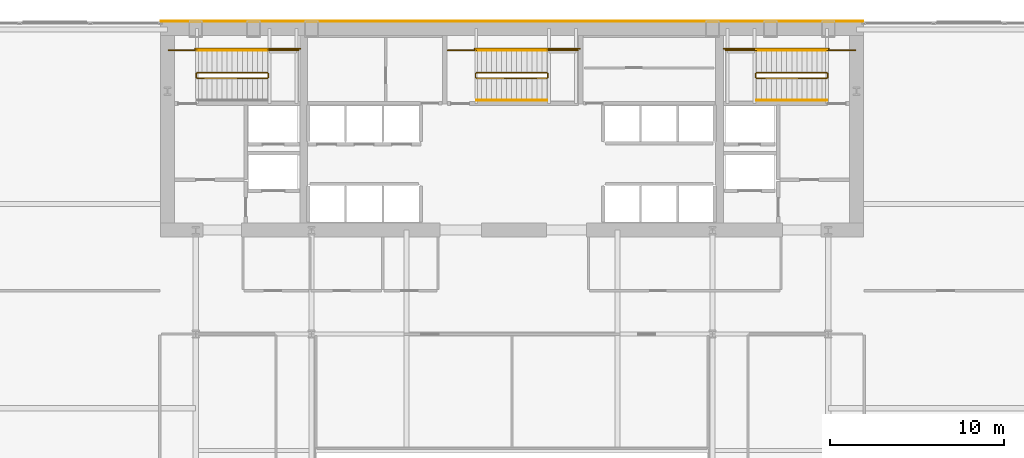
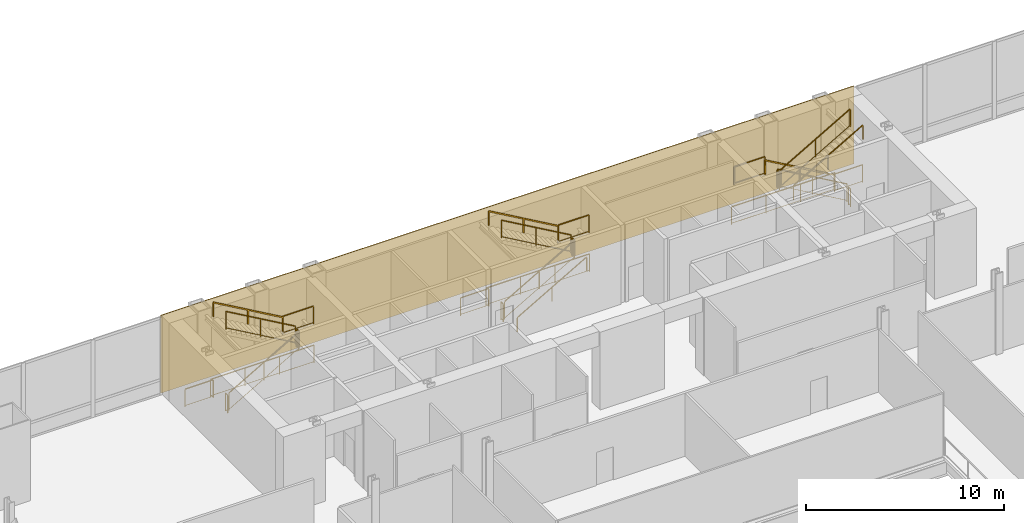
# One storey, part 25 of 26: 26 railings, 1 covering.
"""IFC4 building model written with IfcOpenShell, lengths in metres."""

from ifc_helpers import new_model, si_unit, direction, frame, origin, origin_2d, place, context, subcontext, project, spatial, polyline, rectangle, outline, extrude, material, layer, layer_set, type_object, element, save


model = new_model("IFC4")

# Units and contexts
model_context = context("Model", 3, precision=1e-05, world=origin(), true_north=direction((0.0, 1.0)))
body_context = subcontext(model_context, "Body", "Model", "MODEL_VIEW")
ifc_project = project(units=[si_unit("LENGTHUNIT", "METRE"), si_unit("AREAUNIT", "SQUARE_METRE"), si_unit("VOLUMEUNIT", "CUBIC_METRE"), si_unit("PLANEANGLEUNIT", "RADIAN"), si_unit("MASSUNIT", "GRAM", prefix="KILO")], contexts=[model_context])

# Site, building, storey
site_placement = place(None, origin())
site = spatial("IfcSite", under=ifc_project, at=site_placement, CompositionType="ELEMENT")
building_placement = place(site_placement, origin())
building = spatial("IfcBuilding", under=site, at=building_placement, Name="Khoronbel Lancet Exchange", CompositionType="ELEMENT")
storey_placement = place(building_placement, frame((0.0, 0.0, 5.39990234375)))
storey = spatial("IfcBuildingStorey", under=building, at=storey_placement, Name="L01", CompositionType="ELEMENT", Elevation=5.39990234375)

# Covering
ifc_material_1 = material(Name="Honed Egyptian Limestone & Bronze Rainscreen", Category="masonry")
ifc_layer = layer(ifc_material_1, 0.050048828125, Name="Honed Egyptian Limestone & Bronze Rainscreen")
ifc_layer_set = layer_set([ifc_layer], Name="Honed Egyptian Limestone & Bronze Rainscreen")
covering_type = type_object("IfcCoveringType", Name="COV-CLAD1", PredefinedType="CLADDING", material=ifc_layer_set)
covering_placement = place(storey_placement, origin())
element("IfcCovering", 1, at=covering_placement, inside=storey, type_object=covering_type, Name="Level L01 north rear-core stone and bronze rainscreen cladding", PredefinedType="CLADDING", context=body_context, shape_type="SweptSolid", body=[
    extrude(outline(polyline([(16.199951171875, 53.699951171875), (56.699951171875, 53.699951171875), (56.699951171875, 53.75), (16.199951171875, 53.75), (16.199951171875, 53.699951171875)])), origin(), (0.0, 0.0, 1.0), 4.800048828125),
])

# Railings
ifc_material_2 = material(Name="Painted Steel Balustrade", Category="steel")
railing_type_1 = type_object("IfcRailingType", Name="RL-STG110", PredefinedType="GUARDRAIL", material=ifc_material_2)
railing_1_placement = place(storey_placement, frame((18.300048828125, 50.449951171875, 0.166748046875)))
element("IfcRailing", 2, at=railing_1_placement, inside=storey, type_object=railing_type_1, Name="L01 ST1 stair guard 1", PredefinedType="GUARDRAIL", context=body_context, shape_type="SweptSolid", body=[
    extrude(rectangle(XDim=0.048095703125, YDim=0.048095703125, at=origin_2d()), frame((0.0, 0.0, 1.09619140625), z_axis=(0.867024558463, 0.0, 0.498265406207), x_axis=(0.0, 1.0, 0.0)), (0.0, 0.0, 1.0), 4.682861328125),
    extrude(rectangle(XDim=0.02392578125, YDim=0.02392578125, at=origin_2d()), frame((0.0, 0.0, 0.080078125), z_axis=(0.867024558463, 0.0, 0.498265406207), x_axis=(0.0, 1.0, 0.0)), (0.0, 0.0, 1.0), 4.682861328125),
    extrude(rectangle(XDim=0.0419921875, YDim=0.0419921875, at=origin_2d()), origin(), (0.0, 0.0, 1.0), 1.072021484375),
    extrude(rectangle(XDim=0.0419921875, YDim=0.0419921875, at=origin_2d()), frame((2.030029296875, 0.0, 1.16650390625)), (0.0, 0.0, 1.0), 1.072021484375),
    extrude(rectangle(XDim=0.0419921875, YDim=0.0419921875, at=origin_2d()), frame((4.06005859375, 0.0, 2.333251953125)), (0.0, 0.0, 1.0), 1.072021484375),
])
railing_2_placement = place(storey_placement, frame((22.409912109375, 50.5, 2.5)))
element("IfcRailing", 3, at=railing_2_placement, inside=storey, type_object=railing_type_1, Name="L01 ST1 stair guard 2", PredefinedType="GUARDRAIL", context=body_context, shape_type="SweptSolid", body=[
    extrude(rectangle(XDim=0.048095703125, YDim=0.048095703125, at=origin_2d()), frame((0.0, 0.0, 1.09619140625), z_axis=(0.0, 1.0, 0.0), x_axis=(-1.0, 0.0, 0.0)), (0.0, 0.0, 1.0), 0.219970703125),
    extrude(rectangle(XDim=0.02392578125, YDim=0.02392578125, at=origin_2d()), frame((0.0, 0.0, 0.080078125), z_axis=(0.0, 1.0, 0.0), x_axis=(-1.0, 0.0, 0.0)), (0.0, 0.0, 1.0), 0.219970703125),
    extrude(rectangle(XDim=0.0419921875, YDim=0.0419921875, at=origin_2d()), origin(), (0.0, 0.0, 1.0), 1.072021484375),
    extrude(rectangle(XDim=0.0419921875, YDim=0.0419921875, at=origin_2d()), frame((0.0, 0.219970703125, 0.0)), (0.0, 0.0, 1.0), 1.072021484375),
])
railing_3_placement = place(storey_placement, frame((22.360107421875, 52.050048828125, 2.5)))
element("IfcRailing", 4, at=railing_3_placement, inside=storey, type_object=railing_type_1, Name="L01 ST1 stair guard 3", PredefinedType="GUARDRAIL", context=body_context, shape_type="SweptSolid", body=[
    extrude(rectangle(XDim=0.048095703125, YDim=0.048095703125, at=origin_2d()), frame((0.0, 0.0, 1.09619140625), z_axis=(1.0, 0.0, 0.0), x_axis=(0.0, 1.0, 0.0)), (0.0, 0.0, 1.0), 1.789794921875),
    extrude(rectangle(XDim=0.02392578125, YDim=0.02392578125, at=origin_2d()), frame((0.0, 0.0, 0.080078125), z_axis=(1.0, 0.0, 0.0), x_axis=(0.0, 1.0, 0.0)), (0.0, 0.0, 1.0), 1.789794921875),
    extrude(rectangle(XDim=0.0419921875, YDim=0.0419921875, at=origin_2d()), origin(), (0.0, 0.0, 1.0), 1.072021484375),
    extrude(rectangle(XDim=0.0419921875, YDim=0.0419921875, at=origin_2d()), frame((1.789794921875, 0.0, 0.0)), (0.0, 0.0, 1.0), 1.072021484375),
])
railing_4_placement = place(storey_placement, frame((22.360107421875, 50.77001953125, 2.666748046875)))
element("IfcRailing", 5, at=railing_4_placement, inside=storey, type_object=railing_type_1, Name="L01 ST1 stair guard 4", PredefinedType="GUARDRAIL", context=body_context, shape_type="SweptSolid", body=[
    extrude(rectangle(XDim=0.048095703125, YDim=0.048095703125, at=origin_2d()), frame((0.0, 0.0, 1.09619140625), z_axis=(-0.867024558463, 0.0, 0.498265406207), x_axis=(0.0, -1.0, 0.0)), (0.0, 0.0, 1.0), 4.682861328125),
    extrude(rectangle(XDim=0.02392578125, YDim=0.02392578125, at=origin_2d()), frame((0.0, 0.0, 0.080078125), z_axis=(-0.867024558463, 0.0, 0.498265406207), x_axis=(0.0, -1.0, 0.0)), (0.0, 0.0, 1.0), 4.682861328125),
    extrude(rectangle(XDim=0.0419921875, YDim=0.0419921875, at=origin_2d()), origin(), (0.0, 0.0, 1.0), 1.072021484375),
    extrude(rectangle(XDim=0.0419921875, YDim=0.0419921875, at=origin_2d()), frame((-2.030029296875, 0.0, 1.16650390625)), (0.0, 0.0, 1.0), 1.072021484375),
    extrude(rectangle(XDim=0.0419921875, YDim=0.0419921875, at=origin_2d()), frame((-4.06005859375, 0.0, 2.333251953125)), (0.0, 0.0, 1.0), 1.072021484375),
])
railing_5_placement = place(storey_placement, frame((18.25, 50.5, 0.0)))
element("IfcRailing", 6, at=railing_5_placement, inside=storey, type_object=railing_type_1, Name="L01 ST1 stair guard 5", PredefinedType="GUARDRAIL", context=body_context, shape_type="SweptSolid", body=[
    extrude(rectangle(XDim=0.048095703125, YDim=0.048095703125, at=origin_2d()), frame((0.0, 0.0, 1.09619140625), z_axis=(0.0, 1.0, 0.0), x_axis=(-1.0, 0.0, 0.0)), (0.0, 0.0, 1.0), 0.219970703125),
    extrude(rectangle(XDim=0.02392578125, YDim=0.02392578125, at=origin_2d()), frame((0.0, 0.0, 0.080078125), z_axis=(0.0, 1.0, 0.0), x_axis=(-1.0, 0.0, 0.0)), (0.0, 0.0, 1.0), 0.219970703125),
    extrude(rectangle(XDim=0.0419921875, YDim=0.0419921875, at=origin_2d()), origin(), (0.0, 0.0, 1.0), 1.072021484375),
    extrude(rectangle(XDim=0.0419921875, YDim=0.0419921875, at=origin_2d()), frame((0.0, 0.219970703125, 0.0)), (0.0, 0.0, 1.0), 1.072021484375),
])
railing_6_placement = place(storey_placement, frame((16.64990234375, 52.050048828125, 0.0)))
element("IfcRailing", 7, at=railing_6_placement, inside=storey, type_object=railing_type_1, Name="L01 ST1 stair guard 6", PredefinedType="GUARDRAIL", context=body_context, shape_type="SweptSolid", body=[
    extrude(rectangle(XDim=0.048095703125, YDim=0.048095703125, at=origin_2d()), frame((0.0, 0.0, 1.09619140625), z_axis=(1.0, 0.0, 0.0), x_axis=(0.0, 1.0, 0.0)), (0.0, 0.0, 1.0), 1.650146484375),
    extrude(rectangle(XDim=0.02392578125, YDim=0.02392578125, at=origin_2d()), frame((0.0, 0.0, 0.080078125), z_axis=(1.0, 0.0, 0.0), x_axis=(0.0, 1.0, 0.0)), (0.0, 0.0, 1.0), 1.650146484375),
    extrude(rectangle(XDim=0.0419921875, YDim=0.0419921875, at=origin_2d()), origin(), (0.0, 0.0, 1.0), 1.072021484375),
    extrude(rectangle(XDim=0.0419921875, YDim=0.0419921875, at=origin_2d()), frame((1.650146484375, 0.0, 0.0)), (0.0, 0.0, 1.0), 1.072021484375),
])
railing_7_placement = place(storey_placement, frame((18.199951171875, 52.14990234375, 0.0)))
element("IfcRailing", 8, at=railing_7_placement, inside=storey, type_object=railing_type_1, Name="L01 ST1 stair guard 7", PredefinedType="GUARDRAIL", context=body_context, shape_type="SweptSolid", body=[
    extrude(rectangle(XDim=0.048095703125, YDim=0.048095703125, at=origin_2d()), frame((0.0, 0.0, 1.09619140625), z_axis=(1.0, 0.0, 0.0), x_axis=(0.0, 1.0, 0.0)), (0.0, 0.0, 1.0), 6.050048828125),
    extrude(rectangle(XDim=0.02392578125, YDim=0.02392578125, at=origin_2d()), frame((0.0, 0.0, 0.080078125), z_axis=(1.0, 0.0, 0.0), x_axis=(0.0, 1.0, 0.0)), (0.0, 0.0, 1.0), 6.050048828125),
    extrude(rectangle(XDim=0.0419921875, YDim=0.0419921875, at=origin_2d()), origin(), (0.0, 0.0, 1.0), 1.072021484375),
    extrude(rectangle(XDim=0.0419921875, YDim=0.0419921875, at=origin_2d()), frame((2.0166015625, 0.0, 0.0)), (0.0, 0.0, 1.0), 1.072021484375),
    extrude(rectangle(XDim=0.0419921875, YDim=0.0419921875, at=origin_2d()), frame((4.033447265625, 0.0, 0.0)), (0.0, 0.0, 1.0), 1.072021484375),
    extrude(rectangle(XDim=0.0419921875, YDim=0.0419921875, at=origin_2d()), frame((6.050048828125, 0.0, 0.0)), (0.0, 0.0, 1.0), 1.072021484375),
])
railing_8_placement = place(storey_placement, frame((54.60009765625, 50.77001953125, 0.166748046875)))
element("IfcRailing", 9, at=railing_8_placement, inside=storey, type_object=railing_type_1, Name="L01 ST2 stair guard 1", PredefinedType="GUARDRAIL", context=body_context, shape_type="SweptSolid", body=[
    extrude(rectangle(XDim=0.048095703125, YDim=0.048095703125, at=origin_2d()), frame((0.0, 0.0, 1.09619140625), z_axis=(-0.867024558463, 0.0, 0.498265406207), x_axis=(0.0, -1.0, 0.0)), (0.0, 0.0, 1.0), 4.682861328125),
    extrude(rectangle(XDim=0.02392578125, YDim=0.02392578125, at=origin_2d()), frame((0.0, 0.0, 0.080078125), z_axis=(-0.867024558463, 0.0, 0.498265406207), x_axis=(0.0, -1.0, 0.0)), (0.0, 0.0, 1.0), 4.682861328125),
    extrude(rectangle(XDim=0.0419921875, YDim=0.0419921875, at=origin_2d()), origin(), (0.0, 0.0, 1.0), 1.072021484375),
    extrude(rectangle(XDim=0.0419921875, YDim=0.0419921875, at=origin_2d()), frame((-2.030029296875, 0.0, 1.16650390625)), (0.0, 0.0, 1.0), 1.072021484375),
    extrude(rectangle(XDim=0.0419921875, YDim=0.0419921875, at=origin_2d()), frame((-4.06005859375, 0.0, 2.333251953125)), (0.0, 0.0, 1.0), 1.072021484375),
])
railing_9_placement = place(storey_placement, frame((50.489990234375, 50.719970703125, 2.5)))
element("IfcRailing", 10, at=railing_9_placement, inside=storey, type_object=railing_type_1, Name="L01 ST2 stair guard 2", PredefinedType="GUARDRAIL", context=body_context, shape_type="SweptSolid", body=[
    extrude(rectangle(XDim=0.048095703125, YDim=0.048095703125, at=origin_2d()), frame((0.0, 0.0, 1.09619140625), z_axis=(0.0, -1.0, 0.0), x_axis=(1.0, 0.0, 0.0)), (0.0, 0.0, 1.0), 0.219970703125),
    extrude(rectangle(XDim=0.02392578125, YDim=0.02392578125, at=origin_2d()), frame((0.0, 0.0, 0.080078125), z_axis=(0.0, -1.0, 0.0), x_axis=(1.0, 0.0, 0.0)), (0.0, 0.0, 1.0), 0.219970703125),
    extrude(rectangle(XDim=0.0419921875, YDim=0.0419921875, at=origin_2d()), origin(), (0.0, 0.0, 1.0), 1.072021484375),
    extrude(rectangle(XDim=0.0419921875, YDim=0.0419921875, at=origin_2d()), frame((0.0, -0.219970703125, 0.0)), (0.0, 0.0, 1.0), 1.072021484375),
])
railing_10_placement = place(storey_placement, frame((50.5400390625, 52.050048828125, 2.5)))
element("IfcRailing", 11, at=railing_10_placement, inside=storey, type_object=railing_type_1, Name="L01 ST2 stair guard 3", PredefinedType="GUARDRAIL", context=body_context, shape_type="SweptSolid", body=[
    extrude(rectangle(XDim=0.048095703125, YDim=0.048095703125, at=origin_2d()), frame((0.0, 0.0, 1.09619140625), z_axis=(-1.0, 0.0, 0.0), x_axis=(0.0, -1.0, 0.0)), (0.0, 0.0, 1.0), 1.7900390625),
    extrude(rectangle(XDim=0.02392578125, YDim=0.02392578125, at=origin_2d()), frame((0.0, 0.0, 0.080078125), z_axis=(-1.0, 0.0, 0.0), x_axis=(0.0, -1.0, 0.0)), (0.0, 0.0, 1.0), 1.7900390625),
    extrude(rectangle(XDim=0.0419921875, YDim=0.0419921875, at=origin_2d()), origin(), (0.0, 0.0, 1.0), 1.072021484375),
    extrude(rectangle(XDim=0.0419921875, YDim=0.0419921875, at=origin_2d()), frame((-1.7900390625, 0.0, 0.0)), (0.0, 0.0, 1.0), 1.072021484375),
])
railing_11_placement = place(storey_placement, frame((50.5400390625, 50.449951171875, 2.666748046875)))
element("IfcRailing", 12, at=railing_11_placement, inside=storey, type_object=railing_type_1, Name="L01 ST2 stair guard 4", PredefinedType="GUARDRAIL", context=body_context, shape_type="SweptSolid", body=[
    extrude(rectangle(XDim=0.048095703125, YDim=0.048095703125, at=origin_2d()), frame((0.0, 0.0, 1.09619140625), z_axis=(0.867024558463, 0.0, 0.498265406207), x_axis=(0.0, 1.0, 0.0)), (0.0, 0.0, 1.0), 4.682861328125),
    extrude(rectangle(XDim=0.02392578125, YDim=0.02392578125, at=origin_2d()), frame((0.0, 0.0, 0.080078125), z_axis=(0.867024558463, 0.0, 0.498265406207), x_axis=(0.0, 1.0, 0.0)), (0.0, 0.0, 1.0), 4.682861328125),
    extrude(rectangle(XDim=0.0419921875, YDim=0.0419921875, at=origin_2d()), origin(), (0.0, 0.0, 1.0), 1.072021484375),
    extrude(rectangle(XDim=0.0419921875, YDim=0.0419921875, at=origin_2d()), frame((2.030029296875, 0.0, 1.16650390625)), (0.0, 0.0, 1.0), 1.072021484375),
    extrude(rectangle(XDim=0.0419921875, YDim=0.0419921875, at=origin_2d()), frame((4.06005859375, 0.0, 2.333251953125)), (0.0, 0.0, 1.0), 1.072021484375),
])
railing_12_placement = place(storey_placement, frame((54.64990234375, 50.719970703125, 0.0)))
element("IfcRailing", 13, at=railing_12_placement, inside=storey, type_object=railing_type_1, Name="L01 ST2 stair guard 5", PredefinedType="GUARDRAIL", context=body_context, shape_type="SweptSolid", body=[
    extrude(rectangle(XDim=0.048095703125, YDim=0.048095703125, at=origin_2d()), frame((0.0, 0.0, 1.09619140625), z_axis=(0.0, -1.0, 0.0), x_axis=(1.0, 0.0, 0.0)), (0.0, 0.0, 1.0), 0.219970703125),
    extrude(rectangle(XDim=0.02392578125, YDim=0.02392578125, at=origin_2d()), frame((0.0, 0.0, 0.080078125), z_axis=(0.0, -1.0, 0.0), x_axis=(1.0, 0.0, 0.0)), (0.0, 0.0, 1.0), 0.219970703125),
    extrude(rectangle(XDim=0.0419921875, YDim=0.0419921875, at=origin_2d()), origin(), (0.0, 0.0, 1.0), 1.072021484375),
    extrude(rectangle(XDim=0.0419921875, YDim=0.0419921875, at=origin_2d()), frame((0.0, -0.219970703125, 0.0)), (0.0, 0.0, 1.0), 1.072021484375),
])
railing_13_placement = place(storey_placement, frame((56.25, 52.050048828125, 0.0)))
element("IfcRailing", 14, at=railing_13_placement, inside=storey, type_object=railing_type_1, Name="L01 ST2 stair guard 6", PredefinedType="GUARDRAIL", context=body_context, shape_type="SweptSolid", body=[
    extrude(rectangle(XDim=0.048095703125, YDim=0.048095703125, at=origin_2d()), frame((0.0, 0.0, 1.09619140625), z_axis=(-1.0, 0.0, 0.0), x_axis=(0.0, -1.0, 0.0)), (0.0, 0.0, 1.0), 1.64990234375),
    extrude(rectangle(XDim=0.02392578125, YDim=0.02392578125, at=origin_2d()), frame((0.0, 0.0, 0.080078125), z_axis=(-1.0, 0.0, 0.0), x_axis=(0.0, -1.0, 0.0)), (0.0, 0.0, 1.0), 1.64990234375),
    extrude(rectangle(XDim=0.0419921875, YDim=0.0419921875, at=origin_2d()), origin(), (0.0, 0.0, 1.0), 1.072021484375),
    extrude(rectangle(XDim=0.0419921875, YDim=0.0419921875, at=origin_2d()), frame((-1.64990234375, 0.0, 0.0)), (0.0, 0.0, 1.0), 1.072021484375),
])
railing_14_placement = place(storey_placement, frame((54.699951171875, 52.14990234375, 0.0)))
element("IfcRailing", 15, at=railing_14_placement, inside=storey, type_object=railing_type_1, Name="L01 ST2 stair guard 7", PredefinedType="GUARDRAIL", context=body_context, shape_type="SweptSolid", body=[
    extrude(rectangle(XDim=0.048095703125, YDim=0.048095703125, at=origin_2d()), frame((0.0, 0.0, 1.09619140625), z_axis=(-1.0, 0.0, 0.0), x_axis=(0.0, -1.0, 0.0)), (0.0, 0.0, 1.0), 6.050048828125),
    extrude(rectangle(XDim=0.02392578125, YDim=0.02392578125, at=origin_2d()), frame((0.0, 0.0, 0.080078125), z_axis=(-1.0, 0.0, 0.0), x_axis=(0.0, -1.0, 0.0)), (0.0, 0.0, 1.0), 6.050048828125),
    extrude(rectangle(XDim=0.0419921875, YDim=0.0419921875, at=origin_2d()), origin(), (0.0, 0.0, 1.0), 1.072021484375),
    extrude(rectangle(XDim=0.0419921875, YDim=0.0419921875, at=origin_2d()), frame((-2.0166015625, 0.0, 0.0)), (0.0, 0.0, 1.0), 1.072021484375),
    extrude(rectangle(XDim=0.0419921875, YDim=0.0419921875, at=origin_2d()), frame((-4.033447265625, 0.0, 0.0)), (0.0, 0.0, 1.0), 1.072021484375),
    extrude(rectangle(XDim=0.0419921875, YDim=0.0419921875, at=origin_2d()), frame((-6.050048828125, 0.0, 0.0)), (0.0, 0.0, 1.0), 1.072021484375),
])
railing_15_placement = place(storey_placement, frame((34.39990234375, 50.449951171875, 0.166748046875)))
element("IfcRailing", 16, at=railing_15_placement, inside=storey, type_object=railing_type_1, Name="L01 ST3 stair guard 1", PredefinedType="GUARDRAIL", context=body_context, shape_type="SweptSolid", body=[
    extrude(rectangle(XDim=0.048095703125, YDim=0.048095703125, at=origin_2d()), frame((0.0, 0.0, 1.09619140625), z_axis=(0.867024558463, 0.0, 0.498265406207), x_axis=(0.0, 1.0, 0.0)), (0.0, 0.0, 1.0), 4.682861328125),
    extrude(rectangle(XDim=0.02392578125, YDim=0.02392578125, at=origin_2d()), frame((0.0, 0.0, 0.080078125), z_axis=(0.867024558463, 0.0, 0.498265406207), x_axis=(0.0, 1.0, 0.0)), (0.0, 0.0, 1.0), 4.682861328125),
    extrude(rectangle(XDim=0.0419921875, YDim=0.0419921875, at=origin_2d()), origin(), (0.0, 0.0, 1.0), 1.072021484375),
    extrude(rectangle(XDim=0.0419921875, YDim=0.0419921875, at=origin_2d()), frame((2.030029296875, 0.0, 1.16650390625)), (0.0, 0.0, 1.0), 1.072021484375),
    extrude(rectangle(XDim=0.0419921875, YDim=0.0419921875, at=origin_2d()), frame((4.06005859375, 0.0, 2.333251953125)), (0.0, 0.0, 1.0), 1.072021484375),
])
railing_16_placement = place(storey_placement, frame((38.510009765625, 50.5, 2.5)))
element("IfcRailing", 17, at=railing_16_placement, inside=storey, type_object=railing_type_1, Name="L01 ST3 stair guard 2", PredefinedType="GUARDRAIL", context=body_context, shape_type="SweptSolid", body=[
    extrude(rectangle(XDim=0.048095703125, YDim=0.048095703125, at=origin_2d()), frame((0.0, 0.0, 1.09619140625), z_axis=(0.0, 1.0, 0.0), x_axis=(-1.0, 0.0, 0.0)), (0.0, 0.0, 1.0), 0.219970703125),
    extrude(rectangle(XDim=0.02392578125, YDim=0.02392578125, at=origin_2d()), frame((0.0, 0.0, 0.080078125), z_axis=(0.0, 1.0, 0.0), x_axis=(-1.0, 0.0, 0.0)), (0.0, 0.0, 1.0), 0.219970703125),
    extrude(rectangle(XDim=0.0419921875, YDim=0.0419921875, at=origin_2d()), origin(), (0.0, 0.0, 1.0), 1.072021484375),
    extrude(rectangle(XDim=0.0419921875, YDim=0.0419921875, at=origin_2d()), frame((0.0, 0.219970703125, 0.0)), (0.0, 0.0, 1.0), 1.072021484375),
])
railing_17_placement = place(storey_placement, frame((38.4599609375, 52.050048828125, 2.5)))
element("IfcRailing", 18, at=railing_17_placement, inside=storey, type_object=railing_type_1, Name="L01 ST3 stair guard 3", PredefinedType="GUARDRAIL", context=body_context, shape_type="SweptSolid", body=[
    extrude(rectangle(XDim=0.048095703125, YDim=0.048095703125, at=origin_2d()), frame((0.0, 0.0, 1.09619140625), z_axis=(1.0, 0.0, 0.0), x_axis=(0.0, 1.0, 0.0)), (0.0, 0.0, 1.0), 1.7900390625),
    extrude(rectangle(XDim=0.02392578125, YDim=0.02392578125, at=origin_2d()), frame((0.0, 0.0, 0.080078125), z_axis=(1.0, 0.0, 0.0), x_axis=(0.0, 1.0, 0.0)), (0.0, 0.0, 1.0), 1.7900390625),
    extrude(rectangle(XDim=0.0419921875, YDim=0.0419921875, at=origin_2d()), origin(), (0.0, 0.0, 1.0), 1.072021484375),
    extrude(rectangle(XDim=0.0419921875, YDim=0.0419921875, at=origin_2d()), frame((1.7900390625, 0.0, 0.0)), (0.0, 0.0, 1.0), 1.072021484375),
])
railing_18_placement = place(storey_placement, frame((38.4599609375, 50.77001953125, 2.666748046875)))
element("IfcRailing", 19, at=railing_18_placement, inside=storey, type_object=railing_type_1, Name="L01 ST3 stair guard 4", PredefinedType="GUARDRAIL", context=body_context, shape_type="SweptSolid", body=[
    extrude(rectangle(XDim=0.048095703125, YDim=0.048095703125, at=origin_2d()), frame((0.0, 0.0, 1.09619140625), z_axis=(-0.867024558463, 0.0, 0.498265406207), x_axis=(0.0, -1.0, 0.0)), (0.0, 0.0, 1.0), 4.682861328125),
    extrude(rectangle(XDim=0.02392578125, YDim=0.02392578125, at=origin_2d()), frame((0.0, 0.0, 0.080078125), z_axis=(-0.867024558463, 0.0, 0.498265406207), x_axis=(0.0, -1.0, 0.0)), (0.0, 0.0, 1.0), 4.682861328125),
    extrude(rectangle(XDim=0.0419921875, YDim=0.0419921875, at=origin_2d()), origin(), (0.0, 0.0, 1.0), 1.072021484375),
    extrude(rectangle(XDim=0.0419921875, YDim=0.0419921875, at=origin_2d()), frame((-2.030029296875, 0.0, 1.16650390625)), (0.0, 0.0, 1.0), 1.072021484375),
    extrude(rectangle(XDim=0.0419921875, YDim=0.0419921875, at=origin_2d()), frame((-4.06005859375, 0.0, 2.333251953125)), (0.0, 0.0, 1.0), 1.072021484375),
])
railing_19_placement = place(storey_placement, frame((34.35009765625, 50.5, 0.0)))
element("IfcRailing", 20, at=railing_19_placement, inside=storey, type_object=railing_type_1, Name="L01 ST3 stair guard 5", PredefinedType="GUARDRAIL", context=body_context, shape_type="SweptSolid", body=[
    extrude(rectangle(XDim=0.048095703125, YDim=0.048095703125, at=origin_2d()), frame((0.0, 0.0, 1.09619140625), z_axis=(0.0, 1.0, 0.0), x_axis=(-1.0, 0.0, 0.0)), (0.0, 0.0, 1.0), 0.219970703125),
    extrude(rectangle(XDim=0.02392578125, YDim=0.02392578125, at=origin_2d()), frame((0.0, 0.0, 0.080078125), z_axis=(0.0, 1.0, 0.0), x_axis=(-1.0, 0.0, 0.0)), (0.0, 0.0, 1.0), 0.219970703125),
    extrude(rectangle(XDim=0.0419921875, YDim=0.0419921875, at=origin_2d()), origin(), (0.0, 0.0, 1.0), 1.072021484375),
    extrude(rectangle(XDim=0.0419921875, YDim=0.0419921875, at=origin_2d()), frame((0.0, 0.219970703125, 0.0)), (0.0, 0.0, 1.0), 1.072021484375),
])
railing_20_placement = place(storey_placement, frame((32.75, 52.050048828125, 0.0)))
element("IfcRailing", 21, at=railing_20_placement, inside=storey, type_object=railing_type_1, Name="L01 ST3 stair guard 6", PredefinedType="GUARDRAIL", context=body_context, shape_type="SweptSolid", body=[
    extrude(rectangle(XDim=0.048095703125, YDim=0.048095703125, at=origin_2d()), frame((0.0, 0.0, 1.09619140625), z_axis=(1.0, 0.0, 0.0), x_axis=(0.0, 1.0, 0.0)), (0.0, 0.0, 1.0), 1.64990234375),
    extrude(rectangle(XDim=0.02392578125, YDim=0.02392578125, at=origin_2d()), frame((0.0, 0.0, 0.080078125), z_axis=(1.0, 0.0, 0.0), x_axis=(0.0, 1.0, 0.0)), (0.0, 0.0, 1.0), 1.64990234375),
    extrude(rectangle(XDim=0.0419921875, YDim=0.0419921875, at=origin_2d()), origin(), (0.0, 0.0, 1.0), 1.072021484375),
    extrude(rectangle(XDim=0.0419921875, YDim=0.0419921875, at=origin_2d()), frame((1.64990234375, 0.0, 0.0)), (0.0, 0.0, 1.0), 1.072021484375),
])
railing_21_placement = place(storey_placement, frame((34.300048828125, 52.14990234375, 0.0)))
element("IfcRailing", 22, at=railing_21_placement, inside=storey, type_object=railing_type_1, Name="L01 ST3 stair guard 7", PredefinedType="GUARDRAIL", context=body_context, shape_type="SweptSolid", body=[
    extrude(rectangle(XDim=0.048095703125, YDim=0.048095703125, at=origin_2d()), frame((0.0, 0.0, 1.09619140625), z_axis=(1.0, 0.0, 0.0), x_axis=(0.0, 1.0, 0.0)), (0.0, 0.0, 1.0), 6.050048828125),
    extrude(rectangle(XDim=0.02392578125, YDim=0.02392578125, at=origin_2d()), frame((0.0, 0.0, 0.080078125), z_axis=(1.0, 0.0, 0.0), x_axis=(0.0, 1.0, 0.0)), (0.0, 0.0, 1.0), 6.050048828125),
    extrude(rectangle(XDim=0.0419921875, YDim=0.0419921875, at=origin_2d()), origin(), (0.0, 0.0, 1.0), 1.072021484375),
    extrude(rectangle(XDim=0.0419921875, YDim=0.0419921875, at=origin_2d()), frame((2.0166015625, 0.0, 0.0)), (0.0, 0.0, 1.0), 1.072021484375),
    extrude(rectangle(XDim=0.0419921875, YDim=0.0419921875, at=origin_2d()), frame((4.033447265625, 0.0, 0.0)), (0.0, 0.0, 1.0), 1.072021484375),
    extrude(rectangle(XDim=0.0419921875, YDim=0.0419921875, at=origin_2d()), frame((6.050048828125, 0.0, 0.0)), (0.0, 0.0, 1.0), 1.072021484375),
])
ifc_material_3 = material(Name="Brushed Stainless Steel 316", Category="steel")
railing_type_2 = type_object("IfcRailingType", Name="RL-STH92", PredefinedType="HANDRAIL", material=ifc_material_3)
for number, where, name in (
    (23, (22.360107421875, 52.050048828125, 2.666748046875), "L01 ST1 stair handrail 2"),
    (24, (54.60009765625, 52.050048828125, 0.166748046875), "L01 ST2 stair handrail 1"),
):
    element("IfcRailing", number, at=place(storey_placement, frame(where)), inside=storey, type_object=railing_type_2, Name=name, PredefinedType="HANDRAIL", context=body_context, shape_type="SweptSolid", body=[
        extrude(rectangle(XDim=0.048095703125, YDim=0.048095703125, at=origin_2d()), frame((0.0, 0.0, 0.8759765625), z_axis=(-0.867024558463, 0.0, 0.498265406207), x_axis=(0.0, -1.0, 0.0)), (0.0, 0.0, 1.0), 4.682861328125),
        extrude(rectangle(XDim=0.0419921875, YDim=0.0419921875, at=origin_2d()), origin(), (0.0, 0.0, 1.0), 0.851806640625),
        extrude(rectangle(XDim=0.0419921875, YDim=0.0419921875, at=origin_2d()), frame((-2.030029296875, 0.0, 1.16650390625)), (0.0, 0.0, 1.0), 0.851806640625),
        extrude(rectangle(XDim=0.0419921875, YDim=0.0419921875, at=origin_2d()), frame((-4.06005859375, 0.0, 2.333251953125)), (0.0, 0.0, 1.0), 0.851806640625),
    ])
for number, where, name in (
    (25, (50.5400390625, 49.169921875, 2.666748046875), "L01 ST2 stair handrail 2"),
    (26, (34.39990234375, 49.169921875, 0.166748046875), "L01 ST3 stair handrail 1"),
):
    element("IfcRailing", number, at=place(storey_placement, frame(where)), inside=storey, type_object=railing_type_2, Name=name, PredefinedType="HANDRAIL", context=body_context, shape_type="SweptSolid", body=[
        extrude(rectangle(XDim=0.048095703125, YDim=0.048095703125, at=origin_2d()), frame((0.0, 0.0, 0.8759765625), z_axis=(0.867024558463, 0.0, 0.498265406207), x_axis=(0.0, 1.0, 0.0)), (0.0, 0.0, 1.0), 4.682861328125),
        extrude(rectangle(XDim=0.0419921875, YDim=0.0419921875, at=origin_2d()), origin(), (0.0, 0.0, 1.0), 0.851806640625),
        extrude(rectangle(XDim=0.0419921875, YDim=0.0419921875, at=origin_2d()), frame((2.030029296875, 0.0, 1.16650390625)), (0.0, 0.0, 1.0), 0.851806640625),
        extrude(rectangle(XDim=0.0419921875, YDim=0.0419921875, at=origin_2d()), frame((4.06005859375, 0.0, 2.333251953125)), (0.0, 0.0, 1.0), 0.851806640625),
    ])
railing_22_placement = place(storey_placement, frame((38.4599609375, 52.050048828125, 2.666748046875)))
element("IfcRailing", 27, at=railing_22_placement, inside=storey, type_object=railing_type_2, Name="L01 ST3 stair handrail 2", PredefinedType="HANDRAIL", context=body_context, shape_type="SweptSolid", body=[
    extrude(rectangle(XDim=0.048095703125, YDim=0.048095703125, at=origin_2d()), frame((0.0, 0.0, 0.8759765625), z_axis=(-0.867024558463, 0.0, 0.498265406207), x_axis=(0.0, -1.0, 0.0)), (0.0, 0.0, 1.0), 4.682861328125),
    extrude(rectangle(XDim=0.0419921875, YDim=0.0419921875, at=origin_2d()), origin(), (0.0, 0.0, 1.0), 0.851806640625),
    extrude(rectangle(XDim=0.0419921875, YDim=0.0419921875, at=origin_2d()), frame((-2.030029296875, 0.0, 1.16650390625)), (0.0, 0.0, 1.0), 0.851806640625),
    extrude(rectangle(XDim=0.0419921875, YDim=0.0419921875, at=origin_2d()), frame((-4.06005859375, 0.0, 2.333251953125)), (0.0, 0.0, 1.0), 0.851806640625),
])

save(model, "model.ifc")
